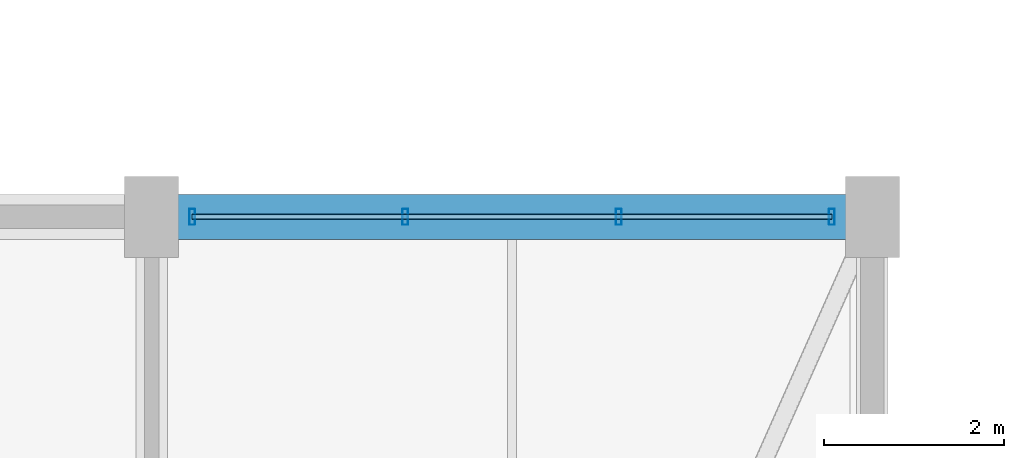
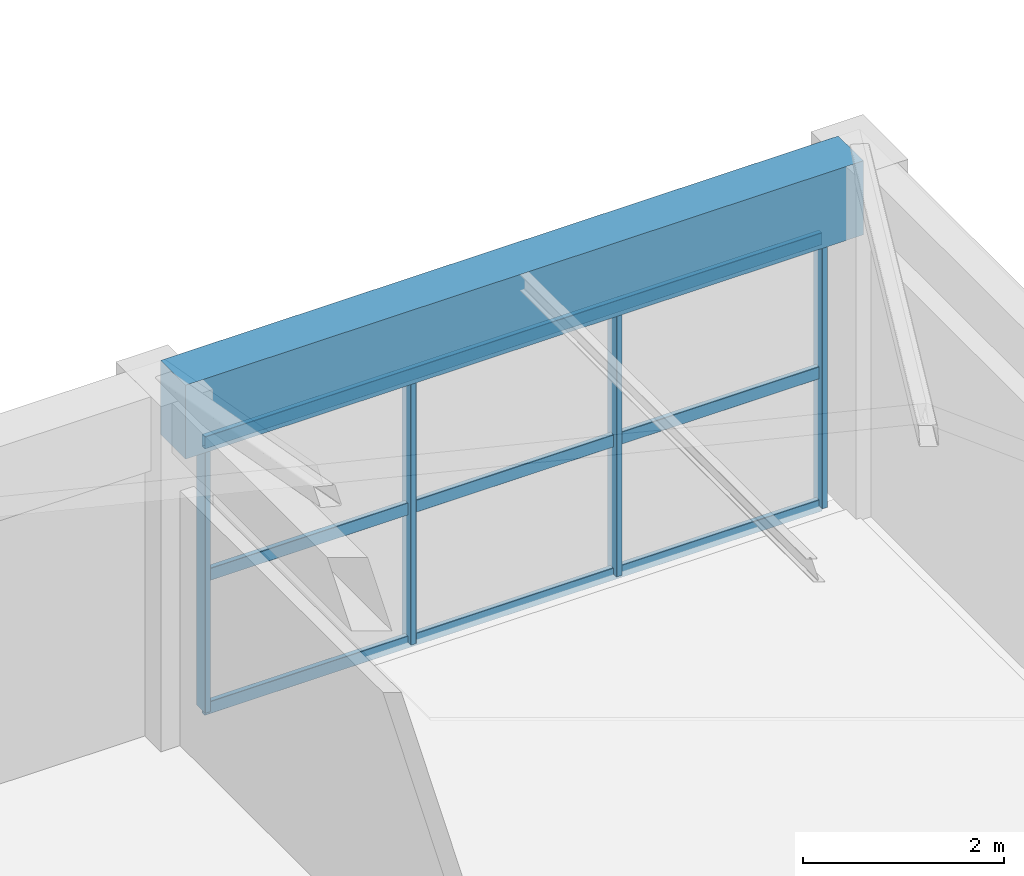
# One storey, part 48 of 65: 7 members, 1 beam, 1 element without a shape of its own.
"""IFC4 building model written with IfcOpenShell, lengths in metres."""

import ifcopenshell
import ifcopenshell.guid

model = None  # the IFC model being written
_history = None  # IfcOwnerHistory: only IFC2X3 demands one
_inside = {}  # id of a spatial element -> (the spatial element, [elements in it])
_under = {}  # id of a project, library or spatial element -> (it, [spatial elements below it])
_declared = {}  # id of a project -> (the project, [libraries it declares])
_typed = {}  # id of a type object -> (the type object, [elements of that type])
_made_of = {}  # id of a material, layer set ... -> (it, [elements and type objects made of it])


def new_model(schema):
    """Start an empty IFC model of exactly this schema.

    Asked for "IFC4X3", IfcOpenShell would pick the latest addendum, in which some entities
    have other attributes; the version numbers below select the first issue.
    IFC2X3 requires an IfcOwnerHistory on every rooted entity: one is made here for all.
    """
    global model, _history
    if schema == "IFC4X3":
        model = ifcopenshell.file(schema_version=(4, 3, 0, 0))
    else:
        model = ifcopenshell.file(schema=schema)
    _inside.clear()
    _under.clear()
    _declared.clear()
    _typed.clear()
    _made_of.clear()
    _history = None
    if model.schema == "IFC2X3":
        org = make("IfcOrganization", Name="unknown")
        user = make(
            "IfcPersonAndOrganization",
            ThePerson=make("IfcPerson", FamilyName="unknown"),
            TheOrganization=org,
        )
        app = make(
            "IfcApplication",
            ApplicationDeveloper=org,
            Version="unknown",
            ApplicationFullName="unknown",
            ApplicationIdentifier="unknown",
        )
        _history = make(
            "IfcOwnerHistory",
            OwningUser=user,
            OwningApplication=app,
            ChangeAction="ADDED",
            CreationDate=0,
        )
    return model


def make(cls, **values):
    """One entity of the class cls with the attributes given. An attribute that is None is left unset."""
    return model.create_entity(
        cls, **{name: value for name, value in values.items() if value is not None}
    )


def rooted(cls, **values):
    """An entity with a GlobalId (a new one), such as an element, a storey or a relation."""
    return make(cls, GlobalId=ifcopenshell.guid.new(), OwnerHistory=_history, **values)


def si_unit(unit_type, name, prefix=None):
    """IfcSIUnit, for example si_unit("LENGTHUNIT", "METRE", prefix="MILLI")."""
    return make("IfcSIUnit", UnitType=unit_type, Prefix=prefix, Name=name)


def assignment(units):
    """IfcUnitAssignment: the units of a project."""
    return None if units is None else make("IfcUnitAssignment", Units=units)


def point(xyz):
    """IfcCartesianPoint."""
    return None if xyz is None else make("IfcCartesianPoint", Coordinates=xyz)


def direction(xyz):
    """IfcDirection."""
    return None if xyz is None else make("IfcDirection", DirectionRatios=xyz)


def frame(location, z_axis=None, x_axis=None):
    """IfcAxis2Placement3D, a coordinate frame: its origin and axes. An axis left out is left unset."""
    return make(
        "IfcAxis2Placement3D",
        Location=point(location),
        Axis=direction(z_axis),
        RefDirection=direction(x_axis),
    )


def frame_2d(location, x_axis=None):
    """IfcAxis2Placement2D, a coordinate frame in the plane: its origin and x axis."""
    return make(
        "IfcAxis2Placement2D", Location=point(location), RefDirection=direction(x_axis)
    )


def origin():
    """The frame at (0, 0, 0) with its axes left unset."""
    return frame((0.0, 0.0, 0.0))


def origin_2d():
    """The frame at (0, 0) in the plane with its x axis left unset."""
    return frame_2d((0.0, 0.0))


def place(relative_to, where):
    """IfcLocalPlacement: puts the frame where relative to a parent placement (None: the world)."""
    return make(
        "IfcLocalPlacement", PlacementRelTo=relative_to, RelativePlacement=where
    )


def context(
    kind, dimensions, precision=None, world=None, true_north=None, identifier=None
):
    """IfcGeometricRepresentationContext, for example the 3D "Model" context."""
    return make(
        "IfcGeometricRepresentationContext",
        ContextIdentifier=identifier,
        ContextType=kind,
        CoordinateSpaceDimension=dimensions,
        Precision=precision,
        WorldCoordinateSystem=world,
        TrueNorth=true_north,
    )


def subcontext(parent, identifier, kind, view, scale=None):
    """IfcGeometricRepresentationSubContext, for example "Body" below "Model"."""
    return make(
        "IfcGeometricRepresentationSubContext",
        ContextIdentifier=identifier,
        ContextType=kind,
        ParentContext=parent,
        TargetScale=scale,
        TargetView=view,
    )


def project(units=None, contexts=None):
    """IfcProject with its units and contexts."""
    return rooted(
        "IfcProject",
        Name="project",
        RepresentationContexts=contexts,
        UnitsInContext=assignment(units),
    )


def spatial(cls, under=None, at=None, **own):
    """A site, building, storey or space (cls), placed at a placement, below another one or the project."""
    s = rooted(cls, ObjectPlacement=at, **own)
    if under is not None:
        _under.setdefault(under.id(), (under, []))[1].append(s)
    return s


def profile(cls, at=None, kind="AREA", **sizes):
    """A parametric profile (cls). Its sizes go by their IFC names, for example OverallWidth=200.0."""
    return make(cls, ProfileType=kind, Position=at, **sizes)


def rectangle(**sizes):
    """IfcRectangleProfileDef."""
    return profile("IfcRectangleProfileDef", **sizes)


def hollow_rectangle(**sizes):
    """IfcRectangleHollowProfileDef."""
    return profile("IfcRectangleHollowProfileDef", **sizes)


def extrude(swept, where, along, depth):
    """IfcExtrudedAreaSolid: the profile swept, set in the frame where, extruded along a direction by depth."""
    return make(
        "IfcExtrudedAreaSolid",
        SweptArea=swept,
        Position=where,
        ExtrudedDirection=direction(along),
        Depth=depth,
    )


def shape(context_of_items, identifier, shape_type, items):
    """IfcShapeRepresentation: the items that make up one representation, for example the "Body"."""
    return make(
        "IfcShapeRepresentation",
        ContextOfItems=context_of_items,
        RepresentationIdentifier=identifier,
        RepresentationType=shape_type,
        Items=items,
    )


def material(Name=None, Category=None):
    """IfcMaterial."""
    return make("IfcMaterial", Name=Name, Category=Category)


def material_profile(
    of_material, cross_section, Name=None, Category=None, Priority=None
):
    """IfcMaterialProfile: a cross section and its material."""
    return make(
        "IfcMaterialProfile",
        Name=Name,
        Material=of_material,
        Profile=cross_section,
        Priority=Priority,
        Category=Category,
    )


def profile_set(profiles, Name=None, composite=None):
    """IfcMaterialProfileSet."""
    return make(
        "IfcMaterialProfileSet",
        Name=Name,
        MaterialProfiles=profiles,
        CompositeProfile=composite,
    )


def made_of(thing, what):
    """Note that an element or type object is made of a material, layer set ...; save() writes the relation."""
    if what is not None:
        _made_of.setdefault(what.id(), (what, []))[1].append(thing)
    return thing


def type_object(cls, material=None, **own):
    """A type object (cls), such as IfcWallType, which elements share."""
    return made_of(rooted(cls, **own), material)


def element(
    cls,
    number,
    at=None,
    inside=None,
    cuts=None,
    type_object=None,
    material=None,
    context=None,
    identifier="Body",
    shape_type=None,
    held_by="IfcProductDefinitionShape",
    body=None,
    shapes=None,
    **own,
):
    """One element of the class cls, such as IfcWall. Its Tag is "e" and its number.

    at: its placement. inside: the storey or other place that contains it. cuts: it is an
    opening in that element (IfcRelVoidsElement). A single representation is given by context,
    identifier, shape_type and body (its items); several are given by shapes. held_by: the class
    of the entity that holds the representations. save() writes the other relations.
    """
    e = rooted(cls, Tag="e%d" % number, ObjectPlacement=at, **own)
    if body is not None:
        shapes = [shape(context, identifier, shape_type, body)]
    if shapes is not None:
        e.Representation = make(held_by, Representations=shapes)
    if inside is not None:
        _inside.setdefault(inside.id(), (inside, []))[1].append(e)
    if cuts is not None:
        rooted(
            "IfcRelVoidsElement", RelatingBuildingElement=cuts, RelatedOpeningElement=e
        )
    if type_object is not None:
        _typed.setdefault(type_object.id(), (type_object, []))[1].append(e)
    return made_of(e, material)


def aggregate(whole, parts):
    """IfcRelAggregates: a whole, such as a stair, and the parts it consists of."""
    return rooted("IfcRelAggregates", RelatingObject=whole, RelatedObjects=parts)


def save(model, path):
    """Write the relations noted so far, then the file.

    IfcRelAggregates (storeys below a building ...), IfcRelContainedInSpatialStructure (elements
    in a storey), IfcRelDefinesByType, IfcRelAssociatesMaterial and IfcRelDeclares: one each for
    every whole, place, type object, material and project.
    """
    for whole, parts in _under.values():
        aggregate(whole, parts)
    for where, things in _inside.values():
        rooted(
            "IfcRelContainedInSpatialStructure",
            RelatedElements=things,
            RelatingStructure=where,
        )
    for kind, things in _typed.values():
        rooted("IfcRelDefinesByType", RelatedObjects=things, RelatingType=kind)
    for what, things in _made_of.values():
        rooted("IfcRelAssociatesMaterial", RelatedObjects=things, RelatingMaterial=what)
    for by, libraries in _declared.values():
        rooted("IfcRelDeclares", RelatingContext=by, RelatedDefinitions=libraries)
    model.write(path)


model = new_model("IFC4")

# Units and contexts
model_context = context("Model", 3, precision=1e-05, world=origin(), true_north=direction((0.0, 1.0)))
body_context = subcontext(model_context, "Body", "Model", "MODEL_VIEW")
ifc_project = project(units=[si_unit("LENGTHUNIT", "METRE"), si_unit("AREAUNIT", "SQUARE_METRE"), si_unit("VOLUMEUNIT", "CUBIC_METRE"), si_unit("PLANEANGLEUNIT", "RADIAN"), si_unit("MASSUNIT", "GRAM", prefix="KILO")], contexts=[model_context])

# Site, building, storey
site_placement = place(None, origin())
site = spatial("IfcSite", under=ifc_project, at=site_placement, CompositionType="ELEMENT")
building_placement = place(site_placement, origin())
building = spatial("IfcBuilding", under=site, at=building_placement, Name="Varnabhumi Central Station", CompositionType="ELEMENT")
storey_placement = place(building_placement, frame((0.0, 0.0, 24.60009765625)))
storey = spatial("IfcBuildingStorey", under=building, at=storey_placement, Name="L05", CompositionType="ELEMENT", Elevation=24.60009765625)

# Beam
ifc_material_1 = material(Name="Concrete M40", Category="concrete")
ifc_material_profile_1 = material_profile(ifc_material_1, rectangle(XDim=0.5, YDim=0.89990234375, at=origin_2d()), Name="Concrete M40", Category="concrete")
ifc_profile_set_1 = profile_set([ifc_material_profile_1], Name="Concrete M40")
beam_type = type_object("IfcBeamType", Name="BM-RC-500x900", PredefinedType="BEAM", material=ifc_profile_set_1)
beam_placement = place(storey_placement, frame((152.10009765625, 36.0, 3.75), z_axis=(1.0, 0.0, 0.0), x_axis=(0.0, 1.0, 0.0)))
element("IfcBeam", 1, at=beam_placement, inside=storey, type_object=beam_type, Name="Beam L05-E:20-21", PredefinedType="BEAM", context=body_context, shape_type="SweptSolid", body=[
    extrude(rectangle(XDim=0.5, YDim=0.89990234375, at=origin_2d()), origin(), (0.0, 0.0, 1.0), 7.7998046875),
])

# Curtain wall, members
ifc_material_2 = material(Name="Anodised aluminium 6063-T6", Category="aluminium")
curtain_wall_type = type_object("IfcCurtainWallType", Name="CW-SPINE-SCREEN-L0", PredefinedType="NOTDEFINED", material=ifc_material_2)
curtain_wall_placement = place(storey_placement, origin())
curtain_wall = element("IfcCurtainWall", 2, at=curtain_wall_placement, inside=storey, type_object=curtain_wall_type, Name="Curtain Wall CW-SS515", PredefinedType="NOTDEFINED")
ifc_material_profile_2 = material_profile(ifc_material_2, hollow_rectangle(XDim=0.06494140625, YDim=0.179931640625, WallThickness=0.00390625, InnerFilletRadius=0.001953125, OuterFilletRadius=0.006103515625, at=origin_2d()), Name="Anodised aluminium 6063-T6", Category="aluminium")
ifc_profile_set_2 = profile_set([ifc_material_profile_2], Name="Anodised aluminium 6063-T6")
member_type_1 = type_object("IfcMemberType", Name="CW-MUL-180", PredefinedType="MULLION", material=ifc_profile_set_2)
member_1_placement = place(storey_placement, frame((152.449951171875, 36.0, 0.0), z_axis=(0.0, 0.0, 1.0), x_axis=(1.0, 0.0, 0.0)))
member_1 = element("IfcMember", 3, at=member_1_placement, type_object=member_type_1, Name="Curtain Wall Mullion CW-SS515-M1", PredefinedType="MULLION", context=body_context, shape_type="SweptSolid", body=[
    extrude(hollow_rectangle(XDim=0.06494140625, YDim=0.179931640625, WallThickness=0.00390625, InnerFilletRadius=0.001953125, OuterFilletRadius=0.006103515625, at=origin_2d()), origin(), (0.0, 0.0, 1.0), 3.239990234375),
])
member_2_placement = place(storey_placement, frame((154.816650390625, 36.0, 0.0), z_axis=(0.0, 0.0, 1.0), x_axis=(1.0, 0.0, 0.0)))
member_2 = element("IfcMember", 4, at=member_2_placement, type_object=member_type_1, Name="Curtain Wall Mullion CW-SS515-M2", PredefinedType="MULLION", context=body_context, shape_type="SweptSolid", body=[
    extrude(hollow_rectangle(XDim=0.06494140625, YDim=0.179931640625, WallThickness=0.00390625, InnerFilletRadius=0.001953125, OuterFilletRadius=0.006103515625, at=origin_2d()), origin(), (0.0, 0.0, 1.0), 3.239990234375),
])
member_3_placement = place(storey_placement, frame((157.183349609375, 36.0, 0.0), z_axis=(0.0, 0.0, 1.0), x_axis=(1.0, 0.0, 0.0)))
member_3 = element("IfcMember", 5, at=member_3_placement, type_object=member_type_1, Name="Curtain Wall Mullion CW-SS515-M3", PredefinedType="MULLION", context=body_context, shape_type="SweptSolid", body=[
    extrude(hollow_rectangle(XDim=0.06494140625, YDim=0.179931640625, WallThickness=0.00390625, InnerFilletRadius=0.001953125, OuterFilletRadius=0.006103515625, at=origin_2d()), origin(), (0.0, 0.0, 1.0), 3.239990234375),
])
member_4_placement = place(storey_placement, frame((159.550048828125, 36.0, 0.0), z_axis=(0.0, 0.0, 1.0), x_axis=(1.0, 0.0, 0.0)))
member_4 = element("IfcMember", 6, at=member_4_placement, type_object=member_type_1, Name="Curtain Wall Mullion CW-SS515-M4", PredefinedType="MULLION", context=body_context, shape_type="SweptSolid", body=[
    extrude(hollow_rectangle(XDim=0.06494140625, YDim=0.179931640625, WallThickness=0.00390625, InnerFilletRadius=0.001953125, OuterFilletRadius=0.006103515625, at=origin_2d()), origin(), (0.0, 0.0, 1.0), 3.239990234375),
])
ifc_material_profile_3 = material_profile(ifc_material_2, hollow_rectangle(XDim=0.06005859375, YDim=0.14990234375, WallThickness=0.00390625, InnerFilletRadius=0.001953125, OuterFilletRadius=0.006103515625, at=origin_2d()), Name="Anodised aluminium 6063-T6", Category="aluminium")
ifc_profile_set_3 = profile_set([ifc_material_profile_3], Name="Anodised aluminium 6063-T6")
member_type_2 = type_object("IfcMemberType", Name="CW-TR-150", PredefinedType="USERDEFINED", material=ifc_profile_set_3)
member_5_placement = place(storey_placement, frame((152.449951171875, 36.0, 0.0), z_axis=(1.0, 0.0, 0.0), x_axis=(0.0, 1.0, 0.0)))
member_5 = element("IfcMember", 7, at=member_5_placement, type_object=member_type_2, Name="Curtain Wall Transom CW-SS515-T1", ObjectType="TRANSOM", PredefinedType="USERDEFINED", context=body_context, shape_type="SweptSolid", body=[
    extrude(hollow_rectangle(XDim=0.06005859375, YDim=0.14990234375, WallThickness=0.00390625, InnerFilletRadius=0.001953125, OuterFilletRadius=0.006103515625, at=origin_2d()), origin(), (0.0, 0.0, 1.0), 7.10009765625),
])
member_6_placement = place(storey_placement, frame((152.449951171875, 36.0, 1.619873046875), z_axis=(1.0, 0.0, 0.0), x_axis=(0.0, 1.0, 0.0)))
member_6 = element("IfcMember", 8, at=member_6_placement, type_object=member_type_2, Name="Curtain Wall Transom CW-SS515-T2", ObjectType="TRANSOM", PredefinedType="USERDEFINED", context=body_context, shape_type="SweptSolid", body=[
    extrude(hollow_rectangle(XDim=0.06005859375, YDim=0.14990234375, WallThickness=0.00390625, InnerFilletRadius=0.001953125, OuterFilletRadius=0.006103515625, at=origin_2d()), origin(), (0.0, 0.0, 1.0), 7.10009765625),
])
member_7_placement = place(storey_placement, frame((152.449951171875, 36.0, 3.239990234375), z_axis=(1.0, 0.0, 0.0), x_axis=(0.0, 1.0, 0.0)))
member_7 = element("IfcMember", 9, at=member_7_placement, type_object=member_type_2, Name="Curtain Wall Transom CW-SS515-T3", ObjectType="TRANSOM", PredefinedType="USERDEFINED", context=body_context, shape_type="SweptSolid", body=[
    extrude(hollow_rectangle(XDim=0.06005859375, YDim=0.14990234375, WallThickness=0.00390625, InnerFilletRadius=0.001953125, OuterFilletRadius=0.006103515625, at=origin_2d()), origin(), (0.0, 0.0, 1.0), 7.10009765625),
])
aggregate(curtain_wall, [member_1, member_2, member_3, member_4, member_5, member_6, member_7])

save(model, "model.ifc")
